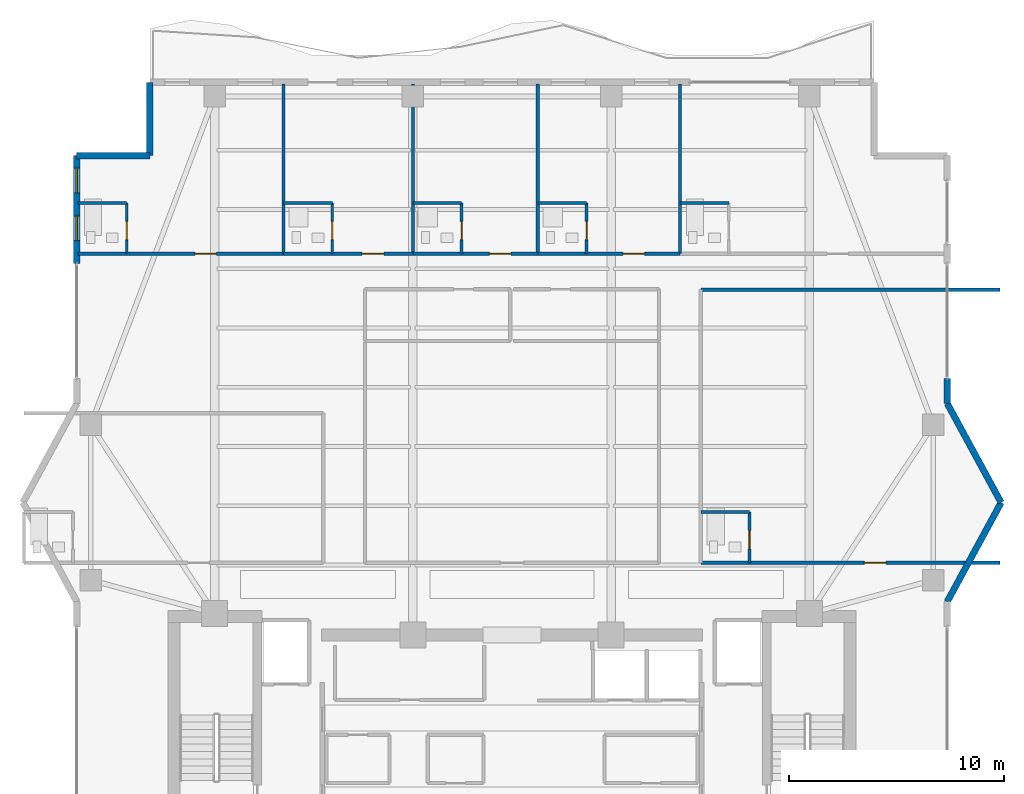
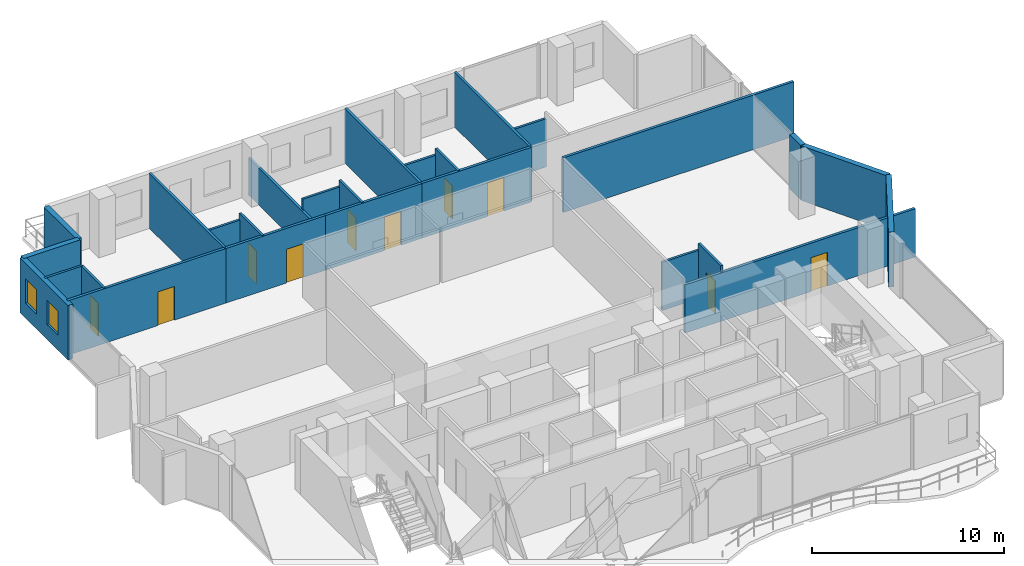
# One storey, part 20 of 25: 27 walls, 10 doors, 2 windows, 12 openings.
"""IFC4 building model written with IfcOpenShell, lengths in metres."""

from ifc_helpers import new_model, si_unit, direction, frame, frame_2d, origin, place, context, subcontext, project, spatial, rectangle, extrude, material, layer, layer_set, type_object, element, fill, save


model = new_model("IFC4")

# Units and contexts
model_context = context("Model", 3, precision=1e-05, world=origin(), true_north=direction((0.0, 1.0)))
body_context = subcontext(model_context, "Body", "Model", "MODEL_VIEW")
ifc_project = project(units=[si_unit("LENGTHUNIT", "METRE"), si_unit("AREAUNIT", "SQUARE_METRE"), si_unit("VOLUMEUNIT", "CUBIC_METRE"), si_unit("PLANEANGLEUNIT", "RADIAN"), si_unit("MASSUNIT", "GRAM", prefix="KILO")], contexts=[model_context])

# Site, building, storey
site_placement = place(None, origin())
site = spatial("IfcSite", under=ifc_project, at=site_placement, CompositionType="ELEMENT")
building_placement = place(site_placement, origin())
building = spatial("IfcBuilding", under=site, at=building_placement, Name="Zuhayl Quay Hotel", CompositionType="ELEMENT")
storey_placement = place(building_placement, frame((0.0, 0.0, 243.35009765625)))
storey = spatial("IfcBuildingStorey", under=building, at=storey_placement, Name="L61", CompositionType="ELEMENT", Elevation=243.35009765625)

# Wall, openings, windows
ifc_material_1 = material(Name="Precast concrete C45/55", Category="concrete")
ifc_layer_1 = layer(ifc_material_1, 0.300048828125, Name="Precast concrete C45/55", Category="concrete")
ifc_layer_set_1 = layer_set([ifc_layer_1], Name="Precast concrete C45/55")
wall_type_1 = type_object("IfcWallType", Name="WL_EXT_300", PredefinedType="STANDARD", material=ifc_layer_set_1)
wall_1_placement = place(storey_placement, frame((-20.199951171875, 30.60009765625, 0.0), z_axis=(0.0, 0.0, 1.0), x_axis=(0.0, 1.0, 0.0)))
wall_1 = element("IfcWall", 1, at=wall_1_placement, inside=storey, type_object=wall_type_1, Name="L61 Exterior Precast Wall ENV_L61_E05_EW2", PredefinedType="STANDARD", context=body_context, shape_type="SweptSolid", body=[
    extrude(rectangle(XDim=5.0, YDim=0.300048828125, at=frame_2d((2.5, 0.0))), origin(), (0.0, 0.0, 1.0), 3.47998046875),
])
opening_1_placement = place(wall_1_placement, frame((1.054931640625, 0.0, 0.949951171875)))
opening_1 = element("IfcOpeningElement", 2, at=opening_1_placement, cuts=wall_1, Name="Opening W01N", PredefinedType="OPENING", context=body_context, shape_type="SweptSolid", body=[
    extrude(rectangle(XDim=1.14990234375, YDim=1.550048828125, at=frame_2d((0.574951171875, 0.77490234375))), frame((0.0, 0.159912109375, 0.0), z_axis=(0.0, -1.0, 0.0), x_axis=(1.0, 0.0, 0.0)), (0.0, 0.0, 1.0), 0.320068359375),
])
opening_2_placement = place(wall_1_placement, frame((3.27001953125, 0.0, 0.949951171875)))
opening_2 = element("IfcOpeningElement", 3, at=opening_2_placement, cuts=wall_1, Name="Opening W01N", PredefinedType="OPENING", context=body_context, shape_type="SweptSolid", body=[
    extrude(rectangle(XDim=1.14990234375, YDim=1.550048828125, at=frame_2d((0.574951171875, 0.77490234375))), frame((0.0, 0.159912109375, 0.0), z_axis=(0.0, -1.0, 0.0), x_axis=(1.0, 0.0, 0.0)), (0.0, 0.0, 1.0), 0.320068359375),
])
ifc_material_2 = material(Name="Dark Ceramic-Fritted Solar Glass", Category="glass")
window_type = type_object("IfcWindowType", Name="WN_NOTCH_1350", PartitioningType="SINGLE_PANEL", PredefinedType="WINDOW", material=ifc_material_2)
window_1_placement = place(opening_1_placement, origin())
window_1 = element("IfcWindow", 4, at=window_1_placement, inside=storey, type_object=window_type, Name="L61 Operable Facade Window 2-1", OverallHeight=1.550048828125, OverallWidth=1.14990234375, PartitioningType="SINGLE_PANEL", PredefinedType="WINDOW", context=body_context, shape_type="SweptSolid", body=[
    extrude(rectangle(XDim=1.14990234375, YDim=1.550048828125, at=frame_2d((0.574951171875, 0.77490234375))), frame((0.0, 0.030029296875, 0.0), z_axis=(0.0, -1.0, 0.0), x_axis=(1.0, 0.0, 0.0)), (0.0, 0.0, 1.0), 0.06005859375),
])
fill(opening_1, window_1)
window_2_placement = place(opening_2_placement, origin())
window_2 = element("IfcWindow", 5, at=window_2_placement, inside=storey, type_object=window_type, Name="L61 Operable Facade Window 2-2", OverallHeight=1.550048828125, OverallWidth=1.14990234375, PartitioningType="SINGLE_PANEL", PredefinedType="WINDOW", context=body_context, shape_type="SweptSolid", body=[
    extrude(rectangle(XDim=1.14990234375, YDim=1.550048828125, at=frame_2d((0.574951171875, 0.77490234375))), frame((0.0, 0.030029296875, 0.0), z_axis=(0.0, -1.0, 0.0), x_axis=(1.0, 0.0, 0.0)), (0.0, 0.0, 1.0), 0.06005859375),
])
fill(opening_2, window_2)

# Walls
for number, where, z_axis, x_axis, name in (
    (6, (-20.199951171875, 35.60009765625, 0.0), (0.0, 0.0, 1.0), (1.0, 0.0, 0.0), "L61 Exterior Precast Wall ENV_L61_EW06"),
    (7, (-16.800048828125, 35.60009765625, 0.0), (0.0, 0.0, 1.0), (0.0, 1.0, 0.0), "L61 Exterior Precast Wall ENV_L61_EW07"),
):
    element("IfcWall", number, at=place(storey_placement, frame(where, z_axis=z_axis, x_axis=x_axis)), inside=storey, type_object=wall_type_1, Name=name, PredefinedType="STANDARD", context=body_context, shape_type="SweptSolid", body=[
        extrude(rectangle(XDim=3.39990234375, YDim=0.300048828125, at=frame_2d((1.699951171875, 0.0))), origin(), (0.0, 0.0, 1.0), 3.47998046875),
    ])
wall_2_placement = place(storey_placement, frame((20.199951171875, 25.25, 0.0), z_axis=(0.0, 0.0, 1.0), x_axis=(0.0, -1.0, 0.0)))
element("IfcWall", 8, at=wall_2_placement, inside=storey, type_object=wall_type_1, Name="L61 Exterior Precast Wall ENV_L61_E11_EW3", PredefinedType="STANDARD", context=body_context, shape_type="SweptSolid", body=[
    extrude(rectangle(XDim=1.14990234375, YDim=0.300048828125, at=frame_2d((0.574951171875, 0.0))), origin(), (0.0, 0.0, 1.0), 3.47998046875),
])
for number, where, z_axis, x_axis, name in (
    (9, (20.199951171875, 24.10009765625, 0.0), (0.0, 0.0, 1.0), (0.477505494629, -0.878628762675, 0.0), "L61 Exterior Precast Wall ENV_L61_EW12"),
    (10, (22.699951171875, 19.5, 0.0), (0.0, 0.0, 1.0), (-0.477505494629, -0.878628762675, 0.0), "L61 Exterior Precast Wall ENV_L61_EW13"),
):
    element("IfcWall", number, at=place(storey_placement, frame(where, z_axis=z_axis, x_axis=x_axis)), inside=storey, type_object=wall_type_1, Name=name, PredefinedType="STANDARD", context=body_context, shape_type="SweptSolid", body=[
        extrude(rectangle(XDim=5.235595703125, YDim=0.300048828125, at=frame_2d((2.61767578125, 0.0))), origin(), (0.0, 0.0, 1.0), 3.47998046875),
    ])
ifc_material_3 = material(Name="Acoustic Gypsum Partition STC-58")
ifc_layer_2 = layer(ifc_material_3, 0.14990234375, Name="Acoustic Gypsum Partition STC-58")
ifc_layer_set_2 = layer_set([ifc_layer_2], Name="Acoustic Gypsum Partition STC-58")
wall_type_2 = type_object("IfcWallType", Name="WL_PART_150", PredefinedType="PARTITIONING", material=ifc_layer_set_2)
wall_3_placement = place(storey_placement, frame((-10.60009765625, 31.050048828125, 0.0), z_axis=(0.0, 0.0, 1.0), x_axis=(0.0, 1.0, 0.0)))
element("IfcWall", 11, at=wall_3_placement, inside=storey, type_object=wall_type_2, Name="L61 Partition IW_L61_NU01_E", PredefinedType="PARTITIONING", context=body_context, shape_type="SweptSolid", body=[
    extrude(rectangle(XDim=7.869873046875, YDim=0.14990234375, at=frame_2d((3.93505859375, 0.0))), origin(), (0.0, 0.0, 1.0), 3.47998046875),
])
wall_4_placement = place(storey_placement, frame((-4.60009765625, 31.050048828125, 0.0), z_axis=(0.0, 0.0, 1.0), x_axis=(0.0, 1.0, 0.0)))
element("IfcWall", 12, at=wall_4_placement, inside=storey, type_object=wall_type_2, Name="L61 Partition IW_L61_NU02_E", PredefinedType="PARTITIONING", context=body_context, shape_type="SweptSolid", body=[
    extrude(rectangle(XDim=7.869873046875, YDim=0.14990234375, at=frame_2d((3.93505859375, 0.0))), origin(), (0.0, 0.0, 1.0), 2.36181640625),
])
for number, where, z_axis, x_axis, name in (
    (13, (1.199951171875, 31.050048828125, 0.0), (0.0, 0.0, 1.0), (0.0, 1.0, 0.0), "L61 Partition IW_L61_NU03_E"),
    (14, (7.800048828125, 31.050048828125, 0.0), (0.0, 0.0, 1.0), (0.0, 1.0, 0.0), "L61 Partition IW_L61_NU04_E"),
):
    element("IfcWall", number, at=place(storey_placement, frame(where, z_axis=z_axis, x_axis=x_axis)), inside=storey, type_object=wall_type_2, Name=name, PredefinedType="PARTITIONING", context=body_context, shape_type="SweptSolid", body=[
        extrude(rectangle(XDim=7.869873046875, YDim=0.14990234375, at=frame_2d((3.93505859375, 0.0))), origin(), (0.0, 0.0, 1.0), 3.47998046875),
    ])

# Wall, opening, door
ifc_layer_3 = layer(ifc_material_3, 0.159912109375, Name="Acoustic Gypsum Partition STC-58")
ifc_layer_set_3 = layer_set([ifc_layer_3], Name="Acoustic Gypsum Partition STC-58")
wall_type_3 = type_object("IfcWallType", Name="WL_PART_CORR_160", PredefinedType="PARTITIONING", material=ifc_layer_set_3)
wall_5_placement = place(storey_placement, frame((-20.139892578125, 31.050048828125, 0.0), z_axis=(0.0, 0.0, 1.0), x_axis=(1.0, 0.0, 0.0)))
wall_5 = element("IfcWall", 15, at=wall_5_placement, inside=storey, type_object=wall_type_3, Name="L61 Partition IW_L61_NU01_COR", PredefinedType="PARTITIONING", context=body_context, shape_type="SweptSolid", body=[
    extrude(rectangle(XDim=9.539794921875, YDim=0.159912109375, at=frame_2d((4.77001953125, 0.0))), origin(), (0.0, 0.0, 1.0), 3.47998046875),
])
opening_3_placement = place(wall_5_placement, frame((5.419921875, 0.0, 0.0)))
opening_3 = element("IfcOpeningElement", 16, at=opening_3_placement, cuts=wall_5, Name="Opening D03L", PredefinedType="OPENING", context=body_context, shape_type="SweptSolid", body=[
    extrude(rectangle(XDim=1.0, YDim=2.14990234375, at=frame_2d((0.5, 1.074951171875))), frame((0.0, 0.08984375, 0.0), z_axis=(0.0, -1.0, 0.0), x_axis=(1.0, 0.0, 0.0)), (0.0, 0.0, 1.0), 0.179931640625),
])
ifc_material_4 = material(Name="Solid Walnut Acoustic Fire Door")
door_type_1 = type_object("IfcDoorType", Name="DR_SUITE_1000", OperationType="NOTDEFINED", PredefinedType="DOOR", material=ifc_material_4)
door_1_placement = place(opening_3_placement, origin())
door_1 = element("IfcDoor", 17, at=door_1_placement, inside=storey, type_object=door_type_1, Name="L61 Royal Gulf Suite L61-01 Entrance Door", OperationType="SINGLE_SWING_LEFT", OverallHeight=2.14990234375, OverallWidth=1.0, PredefinedType="DOOR", context=body_context, shape_type="SweptSolid", body=[
    extrude(rectangle(XDim=1.0, YDim=2.14990234375, at=frame_2d((0.5, 1.074951171875))), frame((0.0, 0.02490234375, 0.0), z_axis=(0.0, -1.0, 0.0), x_axis=(1.0, 0.0, 0.0)), (0.0, 0.0, 1.0), 0.050048828125),
])
fill(opening_3, door_1)

wall_6_placement = place(storey_placement, frame((-10.60009765625, 31.050048828125, 0.0), z_axis=(0.0, 0.0, 1.0), x_axis=(1.0, 0.0, 0.0)))
wall_6 = element("IfcWall", 18, at=wall_6_placement, inside=storey, type_object=wall_type_3, Name="L61 Partition IW_L61_NU02_COR", PredefinedType="PARTITIONING", context=body_context, shape_type="SweptSolid", body=[
    extrude(rectangle(XDim=6.0, YDim=0.159912109375, at=frame_2d((3.0, 0.0))), origin(), (0.0, 0.0, 1.0), 3.47998046875),
])
opening_4_placement = place(wall_6_placement, frame((3.64990234375, 0.0, 0.0)))
opening_4 = element("IfcOpeningElement", 19, at=opening_4_placement, cuts=wall_6, Name="Opening D03L", PredefinedType="OPENING", context=body_context, shape_type="SweptSolid", body=[
    extrude(rectangle(XDim=1.0, YDim=2.14990234375, at=frame_2d((0.5, 1.074951171875))), frame((0.0, 0.08984375, 0.0), z_axis=(0.0, -1.0, 0.0), x_axis=(1.0, 0.0, 0.0)), (0.0, 0.0, 1.0), 0.179931640625),
])
door_2_placement = place(opening_4_placement, origin())
door_2 = element("IfcDoor", 20, at=door_2_placement, inside=storey, type_object=door_type_1, Name="L61 Royal Gulf Suite L61-02 Entrance Door", OperationType="SINGLE_SWING_LEFT", OverallHeight=2.14990234375, OverallWidth=1.0, PredefinedType="DOOR", context=body_context, shape_type="SweptSolid", body=[
    extrude(rectangle(XDim=1.0, YDim=2.14990234375, at=frame_2d((0.5, 1.074951171875))), frame((0.0, 0.02490234375, 0.0), z_axis=(0.0, -1.0, 0.0), x_axis=(1.0, 0.0, 0.0)), (0.0, 0.0, 1.0), 0.050048828125),
])
fill(opening_4, door_2)

wall_7_placement = place(storey_placement, frame((-4.60009765625, 31.050048828125, 0.0), z_axis=(0.0, 0.0, 1.0), x_axis=(1.0, 0.0, 0.0)))
wall_7 = element("IfcWall", 21, at=wall_7_placement, inside=storey, type_object=wall_type_3, Name="L61 Partition IW_L61_NU03_COR", PredefinedType="PARTITIONING", context=body_context, shape_type="SweptSolid", body=[
    extrude(rectangle(XDim=5.800048828125, YDim=0.159912109375, at=frame_2d((2.89990234375, 0.0))), origin(), (0.0, 0.0, 1.0), 3.47998046875),
])
opening_5_placement = place(wall_7_placement, frame((3.550048828125, 0.0, 0.0)))
opening_5 = element("IfcOpeningElement", 22, at=opening_5_placement, cuts=wall_7, Name="Opening D03L", PredefinedType="OPENING", context=body_context, shape_type="SweptSolid", body=[
    extrude(rectangle(XDim=1.0, YDim=2.14990234375, at=frame_2d((0.5, 1.074951171875))), frame((0.0, 0.08984375, 0.0), z_axis=(0.0, -1.0, 0.0), x_axis=(1.0, 0.0, 0.0)), (0.0, 0.0, 1.0), 0.179931640625),
])
door_3_placement = place(opening_5_placement, origin())
door_3 = element("IfcDoor", 23, at=door_3_placement, inside=storey, type_object=door_type_1, Name="L61 Royal Gulf Suite L61-03 Entrance Door", OperationType="SINGLE_SWING_LEFT", OverallHeight=2.14990234375, OverallWidth=1.0, PredefinedType="DOOR", context=body_context, shape_type="SweptSolid", body=[
    extrude(rectangle(XDim=1.0, YDim=2.14990234375, at=frame_2d((0.5, 1.074951171875))), frame((0.0, 0.02490234375, 0.0), z_axis=(0.0, -1.0, 0.0), x_axis=(1.0, 0.0, 0.0)), (0.0, 0.0, 1.0), 0.050048828125),
])
fill(opening_5, door_3)

wall_8_placement = place(storey_placement, frame((1.199951171875, 31.050048828125, 0.0), z_axis=(0.0, 0.0, 1.0), x_axis=(1.0, 0.0, 0.0)))
wall_8 = element("IfcWall", 24, at=wall_8_placement, inside=storey, type_object=wall_type_3, Name="L61 Partition IW_L61_NU04_COR", PredefinedType="PARTITIONING", context=body_context, shape_type="SweptSolid", body=[
    extrude(rectangle(XDim=6.60009765625, YDim=0.159912109375, at=frame_2d((3.300048828125, 0.0))), origin(), (0.0, 0.0, 1.0), 3.47998046875),
])
opening_6_placement = place(wall_8_placement, frame((3.949951171875, 0.0, 0.0)))
opening_6 = element("IfcOpeningElement", 25, at=opening_6_placement, cuts=wall_8, Name="Opening D03L", PredefinedType="OPENING", context=body_context, shape_type="SweptSolid", body=[
    extrude(rectangle(XDim=1.0, YDim=2.14990234375, at=frame_2d((0.5, 1.074951171875))), frame((0.0, 0.08984375, 0.0), z_axis=(0.0, -1.0, 0.0), x_axis=(1.0, 0.0, 0.0)), (0.0, 0.0, 1.0), 0.179931640625),
])
door_4_placement = place(opening_6_placement, origin())
door_4 = element("IfcDoor", 26, at=door_4_placement, inside=storey, type_object=door_type_1, Name="L61 Royal Gulf Suite L61-04 Entrance Door", OperationType="SINGLE_SWING_LEFT", OverallHeight=2.14990234375, OverallWidth=1.0, PredefinedType="DOOR", context=body_context, shape_type="SweptSolid", body=[
    extrude(rectangle(XDim=1.0, YDim=2.14990234375, at=frame_2d((0.5, 1.074951171875))), frame((0.0, 0.02490234375, 0.0), z_axis=(0.0, -1.0, 0.0), x_axis=(1.0, 0.0, 0.0)), (0.0, 0.0, 1.0), 0.050048828125),
])
fill(opening_6, door_4)

wall_9_placement = place(storey_placement, frame((8.760009765625, 16.699951171875, 0.0), z_axis=(0.0, 0.0, 1.0), x_axis=(1.0, 0.0, 0.0)))
wall_9 = element("IfcWall", 27, at=wall_9_placement, inside=storey, type_object=wall_type_3, Name="L61 Partition IW_L61_EU01_COR", PredefinedType="PARTITIONING", context=body_context, shape_type="SweptSolid", body=[
    extrude(rectangle(XDim=13.8798828125, YDim=0.159912109375, at=frame_2d((6.93994140625, 0.0))), origin(), (0.0, 0.0, 1.0), 3.075927734375),
])
opening_7_placement = place(wall_9_placement, frame((7.590087890625, 0.0, 0.0)))
opening_7 = element("IfcOpeningElement", 28, at=opening_7_placement, cuts=wall_9, Name="Opening D03L", PredefinedType="OPENING", context=body_context, shape_type="SweptSolid", body=[
    extrude(rectangle(XDim=1.0, YDim=2.14990234375, at=frame_2d((0.5, 1.074951171875))), frame((0.0, 0.08984375, 0.0), z_axis=(0.0, -1.0, 0.0), x_axis=(1.0, 0.0, 0.0)), (0.0, 0.0, 1.0), 0.179931640625),
])
door_5_placement = place(opening_7_placement, origin())
door_5 = element("IfcDoor", 29, at=door_5_placement, inside=storey, type_object=door_type_1, Name="L61 East Gulf Suite L61-E1 Entrance Door", OperationType="SINGLE_SWING_RIGHT", OverallHeight=2.14990234375, OverallWidth=1.0, PredefinedType="DOOR", context=body_context, shape_type="SweptSolid", body=[
    extrude(rectangle(XDim=1.0, YDim=2.14990234375, at=frame_2d((0.5, 1.074951171875))), frame((0.0, 0.02490234375, 0.0), z_axis=(0.0, -1.0, 0.0), x_axis=(1.0, 0.0, 0.0)), (0.0, 0.0, 1.0), 0.050048828125),
])
fill(opening_7, door_5)

# Wall
wall_10_placement = place(storey_placement, frame((8.760009765625, 29.3798828125, 0.0), z_axis=(0.0, 0.0, 1.0), x_axis=(1.0, 0.0, 0.0)))
element("IfcWall", 30, at=wall_10_placement, inside=storey, type_object=wall_type_3, Name="L61 Partition IW_L61_EU01_BK", PredefinedType="PARTITIONING", context=body_context, shape_type="SweptSolid", body=[
    extrude(rectangle(XDim=13.8798828125, YDim=0.159912109375, at=frame_2d((6.93994140625, 0.0))), origin(), (0.0, 0.0, 1.0), 3.47998046875),
])

# Wall, opening, door
ifc_material_5 = material(Name="Moisture-Resistant Sanitarychase Gypsum")
ifc_layer_4 = layer(ifc_material_5, 0.135009765625, Name="Moisture-Resistant Sanitarychase Gypsum")
ifc_layer_set_4 = layer_set([ifc_layer_4], Name="Moisture-Resistant Sanitarychase Gypsum")
wall_type_4 = type_object("IfcWallType", Name="WL_PART_PLUMB_150", PredefinedType="PLUMBINGWALL", material=ifc_layer_set_4)
wall_11_placement = place(storey_placement, frame((-17.8798828125, 31.050048828125, 0.0), z_axis=(0.0, 0.0, 1.0), x_axis=(0.0, 1.0, 0.0)))
wall_11 = element("IfcWall", 31, at=wall_11_placement, inside=storey, type_object=wall_type_4, Name="L61 Partition IW_L61_NU01_BE", PredefinedType="PLUMBINGWALL", context=body_context, shape_type="SweptSolid", body=[
    extrude(rectangle(XDim=2.35986328125, YDim=0.135009765625, at=frame_2d((1.179931640625, 0.0))), origin(), (0.0, 0.0, 1.0), 3.47998046875),
])
opening_8_placement = place(wall_11_placement, frame((0.64990234375, 0.0, 0.0)))
opening_8 = element("IfcOpeningElement", 32, at=opening_8_placement, cuts=wall_11, Name="Opening D04", PredefinedType="OPENING", context=body_context, shape_type="SweptSolid", body=[
    extrude(rectangle(XDim=0.85009765625, YDim=2.10009765625, at=frame_2d((0.425048828125, 1.050048828125))), frame((0.0, 0.077392578125, 0.0), z_axis=(0.0, -1.0, 0.0), x_axis=(1.0, 0.0, 0.0)), (0.0, 0.0, 1.0), 0.155029296875),
])
ifc_material_6 = material(Name="Moisture-Resistant Walnut Veneer")
door_type_2 = type_object("IfcDoorType", Name="DR_BATH_850", OperationType="NOTDEFINED", PredefinedType="DOOR", material=ifc_material_6)
door_6_placement = place(opening_8_placement, origin())
door_6 = element("IfcDoor", 33, at=door_6_placement, inside=storey, type_object=door_type_2, Name="L61 Royal Gulf Suite L61-01 En-Suite Door", OperationType="SINGLE_SWING_RIGHT", OverallHeight=2.10009765625, OverallWidth=0.85009765625, PredefinedType="DOOR", context=body_context, shape_type="SweptSolid", body=[
    extrude(rectangle(XDim=0.85009765625, YDim=2.10009765625, at=frame_2d((0.425048828125, 1.050048828125))), frame((0.0, 0.02490234375, 0.0), z_axis=(0.0, -1.0, 0.0), x_axis=(1.0, 0.0, 0.0)), (0.0, 0.0, 1.0), 0.050048828125),
])
fill(opening_8, door_6)

wall_12_placement = place(storey_placement, frame((-8.340087890625, 31.050048828125, 0.0), z_axis=(0.0, 0.0, 1.0), x_axis=(0.0, 1.0, 0.0)))
wall_12 = element("IfcWall", 34, at=wall_12_placement, inside=storey, type_object=wall_type_4, Name="L61 Partition IW_L61_NU02_BE", PredefinedType="PLUMBINGWALL", context=body_context, shape_type="SweptSolid", body=[
    extrude(rectangle(XDim=2.35986328125, YDim=0.135009765625, at=frame_2d((1.179931640625, 0.0))), origin(), (0.0, 0.0, 1.0), 3.47998046875),
])
opening_9_placement = place(wall_12_placement, frame((0.64990234375, 0.0, 0.0)))
opening_9 = element("IfcOpeningElement", 35, at=opening_9_placement, cuts=wall_12, Name="Opening D04", PredefinedType="OPENING", context=body_context, shape_type="SweptSolid", body=[
    extrude(rectangle(XDim=0.85009765625, YDim=2.10009765625, at=frame_2d((0.425048828125, 1.050048828125))), frame((0.0, 0.077392578125, 0.0), z_axis=(0.0, -1.0, 0.0), x_axis=(1.0, 0.0, 0.0)), (0.0, 0.0, 1.0), 0.155029296875),
])
door_7_placement = place(opening_9_placement, origin())
door_7 = element("IfcDoor", 36, at=door_7_placement, inside=storey, type_object=door_type_2, Name="L61 Royal Gulf Suite L61-02 En-Suite Door", OperationType="SINGLE_SWING_RIGHT", OverallHeight=2.10009765625, OverallWidth=0.85009765625, PredefinedType="DOOR", context=body_context, shape_type="SweptSolid", body=[
    extrude(rectangle(XDim=0.85009765625, YDim=2.10009765625, at=frame_2d((0.425048828125, 1.050048828125))), frame((0.0, 0.02490234375, 0.0), z_axis=(0.0, -1.0, 0.0), x_axis=(1.0, 0.0, 0.0)), (0.0, 0.0, 1.0), 0.050048828125),
])
fill(opening_9, door_7)

wall_13_placement = place(storey_placement, frame((-2.340087890625, 31.050048828125, 0.0), z_axis=(0.0, 0.0, 1.0), x_axis=(0.0, 1.0, 0.0)))
wall_13 = element("IfcWall", 37, at=wall_13_placement, inside=storey, type_object=wall_type_4, Name="L61 Partition IW_L61_NU03_BE", PredefinedType="PLUMBINGWALL", context=body_context, shape_type="SweptSolid", body=[
    extrude(rectangle(XDim=2.35986328125, YDim=0.135009765625, at=frame_2d((1.179931640625, 0.0))), origin(), (0.0, 0.0, 1.0), 3.47998046875),
])
opening_10_placement = place(wall_13_placement, frame((0.64990234375, 0.0, 0.0)))
opening_10 = element("IfcOpeningElement", 38, at=opening_10_placement, cuts=wall_13, Name="Opening D04", PredefinedType="OPENING", context=body_context, shape_type="SweptSolid", body=[
    extrude(rectangle(XDim=0.85009765625, YDim=2.10009765625, at=frame_2d((0.425048828125, 1.050048828125))), frame((0.0, 0.077392578125, 0.0), z_axis=(0.0, -1.0, 0.0), x_axis=(1.0, 0.0, 0.0)), (0.0, 0.0, 1.0), 0.155029296875),
])
door_8_placement = place(opening_10_placement, origin())
door_8 = element("IfcDoor", 39, at=door_8_placement, inside=storey, type_object=door_type_2, Name="L61 Royal Gulf Suite L61-03 En-Suite Door", OperationType="SINGLE_SWING_RIGHT", OverallHeight=2.10009765625, OverallWidth=0.85009765625, PredefinedType="DOOR", context=body_context, shape_type="SweptSolid", body=[
    extrude(rectangle(XDim=0.85009765625, YDim=2.10009765625, at=frame_2d((0.425048828125, 1.050048828125))), frame((0.0, 0.02490234375, 0.0), z_axis=(0.0, -1.0, 0.0), x_axis=(1.0, 0.0, 0.0)), (0.0, 0.0, 1.0), 0.050048828125),
])
fill(opening_10, door_8)

wall_14_placement = place(storey_placement, frame((3.4599609375, 31.050048828125, 0.0), z_axis=(0.0, 0.0, 1.0), x_axis=(0.0, 1.0, 0.0)))
wall_14 = element("IfcWall", 40, at=wall_14_placement, inside=storey, type_object=wall_type_4, Name="L61 Partition IW_L61_NU04_BE", PredefinedType="PLUMBINGWALL", context=body_context, shape_type="SweptSolid", body=[
    extrude(rectangle(XDim=2.35986328125, YDim=0.135009765625, at=frame_2d((1.179931640625, 0.0))), origin(), (0.0, 0.0, 1.0), 3.47998046875),
])
opening_11_placement = place(wall_14_placement, frame((0.64990234375, 0.0, 0.0)))
opening_11 = element("IfcOpeningElement", 41, at=opening_11_placement, cuts=wall_14, Name="Opening D04", PredefinedType="OPENING", context=body_context, shape_type="SweptSolid", body=[
    extrude(rectangle(XDim=0.85009765625, YDim=2.10009765625, at=frame_2d((0.425048828125, 1.050048828125))), frame((0.0, 0.077392578125, 0.0), z_axis=(0.0, -1.0, 0.0), x_axis=(1.0, 0.0, 0.0)), (0.0, 0.0, 1.0), 0.155029296875),
])
door_9_placement = place(opening_11_placement, origin())
door_9 = element("IfcDoor", 42, at=door_9_placement, inside=storey, type_object=door_type_2, Name="L61 Royal Gulf Suite L61-04 En-Suite Door", OperationType="SINGLE_SWING_RIGHT", OverallHeight=2.10009765625, OverallWidth=0.85009765625, PredefinedType="DOOR", context=body_context, shape_type="SweptSolid", body=[
    extrude(rectangle(XDim=0.85009765625, YDim=2.10009765625, at=frame_2d((0.425048828125, 1.050048828125))), frame((0.0, 0.02490234375, 0.0), z_axis=(0.0, -1.0, 0.0), x_axis=(1.0, 0.0, 0.0)), (0.0, 0.0, 1.0), 0.050048828125),
])
fill(opening_11, door_9)

wall_15_placement = place(storey_placement, frame((11.02001953125, 16.699951171875, 0.0), z_axis=(0.0, 0.0, 1.0), x_axis=(0.0, 1.0, 0.0)))
wall_15 = element("IfcWall", 43, at=wall_15_placement, inside=storey, type_object=wall_type_4, Name="L61 Partition IW_L61_EU01_BE", PredefinedType="PLUMBINGWALL", context=body_context, shape_type="SweptSolid", body=[
    extrude(rectangle(XDim=2.360107421875, YDim=0.135009765625, at=frame_2d((1.18017578125, 0.0))), origin(), (0.0, 0.0, 1.0), 3.47998046875),
])
opening_12_placement = place(wall_15_placement, frame((0.64990234375, 0.0, 0.0)))
opening_12 = element("IfcOpeningElement", 44, at=opening_12_placement, cuts=wall_15, Name="Opening D04", PredefinedType="OPENING", context=body_context, shape_type="SweptSolid", body=[
    extrude(rectangle(XDim=0.85009765625, YDim=2.10009765625, at=frame_2d((0.425048828125, 1.050048828125))), frame((0.0, 0.077392578125, 0.0), z_axis=(0.0, -1.0, 0.0), x_axis=(1.0, 0.0, 0.0)), (0.0, 0.0, 1.0), 0.155029296875),
])
door_10_placement = place(opening_12_placement, origin())
door_10 = element("IfcDoor", 45, at=door_10_placement, inside=storey, type_object=door_type_2, Name="L61 East Gulf Suite L61-E1 En-Suite Door", OperationType="SINGLE_SWING_LEFT", OverallHeight=2.10009765625, OverallWidth=0.85009765625, PredefinedType="DOOR", context=body_context, shape_type="SweptSolid", body=[
    extrude(rectangle(XDim=0.85009765625, YDim=2.10009765625, at=frame_2d((0.425048828125, 1.050048828125))), frame((0.0, 0.02490234375, 0.0), z_axis=(0.0, -1.0, 0.0), x_axis=(1.0, 0.0, 0.0)), (0.0, 0.0, 1.0), 0.050048828125),
])
fill(opening_12, door_10)

# Walls
wall_16_placement = place(storey_placement, frame((-20.139892578125, 33.409912109375, 0.0), z_axis=(0.0, 0.0, 1.0), x_axis=(1.0, 0.0, 0.0)))
element("IfcWall", 46, at=wall_16_placement, inside=storey, type_object=wall_type_4, Name="L61 Partition IW_L61_NU01_BN", PredefinedType="PLUMBINGWALL", context=body_context, shape_type="SweptSolid", body=[
    extrude(rectangle(XDim=2.260009765625, YDim=0.135009765625, at=frame_2d((1.1298828125, 0.0))), origin(), (0.0, 0.0, 1.0), 3.47998046875),
])
for number, where, z_axis, x_axis, name in (
    (47, (-10.60009765625, 33.409912109375, 0.0), (0.0, 0.0, 1.0), (1.0, 0.0, 0.0), "L61 Partition IW_L61_NU02_BN"),
    (48, (-4.60009765625, 33.409912109375, 0.0), (0.0, 0.0, 1.0), (1.0, 0.0, 0.0), "L61 Partition IW_L61_NU03_BN"),
    (49, (1.199951171875, 33.409912109375, 0.0), (0.0, 0.0, 1.0), (1.0, 0.0, 0.0), "L61 Partition IW_L61_NU04_BN"),
    (50, (7.800048828125, 33.409912109375, 0.0), (0.0, 0.0, 1.0), (1.0, 0.0, 0.0), "L61 Partition IW_L61_NU05_BN"),
    (51, (8.760009765625, 19.06005859375, 0.0), (0.0, 0.0, 1.0), (1.0, 0.0, 0.0), "L61 Partition IW_L61_EU01_BN"),
):
    element("IfcWall", number, at=place(storey_placement, frame(where, z_axis=z_axis, x_axis=x_axis)), inside=storey, type_object=wall_type_4, Name=name, PredefinedType="PLUMBINGWALL", context=body_context, shape_type="SweptSolid", body=[
        extrude(rectangle(XDim=2.260009765625, YDim=0.135009765625, at=frame_2d((1.1298828125, 0.0))), origin(), (0.0, 0.0, 1.0), 3.075927734375),
    ])

save(model, "model.ifc")
